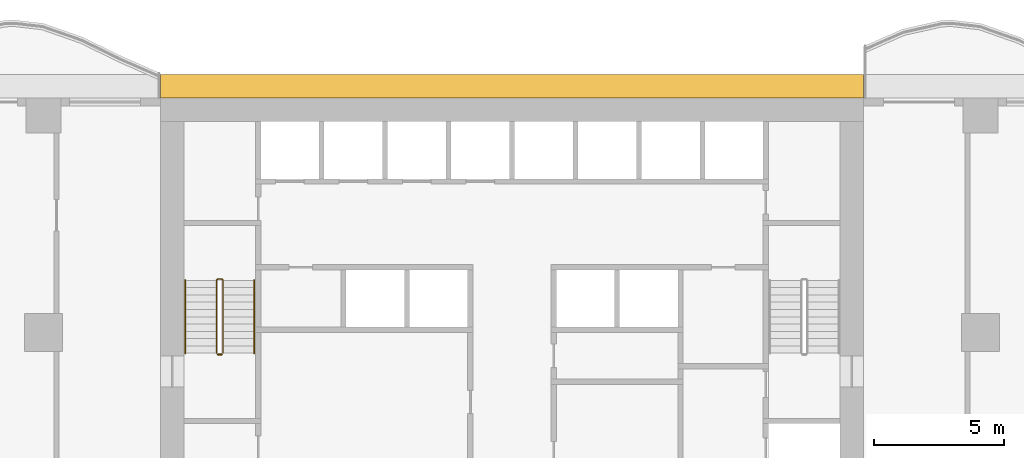
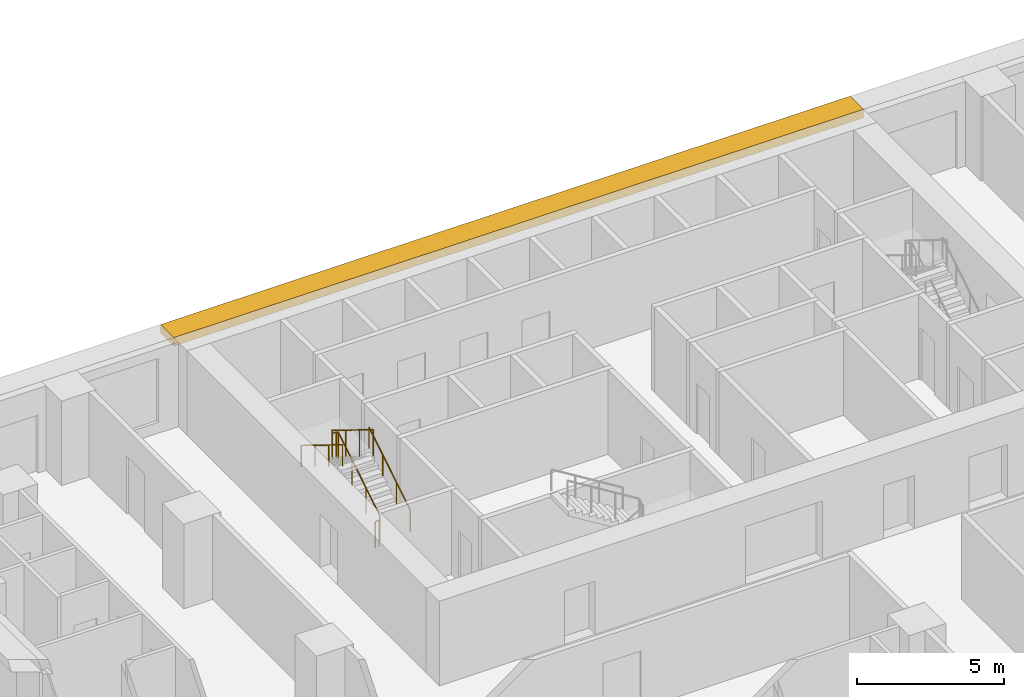
# One storey, part 12 of 14: 4 railings, 1 shading device.
"""IFC4 building model written with IfcOpenShell, lengths in metres."""

import ifcopenshell
import ifcopenshell.guid

model = None  # the IFC model being written
_history = None  # IfcOwnerHistory: only IFC2X3 demands one
_inside = {}  # id of a spatial element -> (the spatial element, [elements in it])
_under = {}  # id of a project, library or spatial element -> (it, [spatial elements below it])
_declared = {}  # id of a project -> (the project, [libraries it declares])
_typed = {}  # id of a type object -> (the type object, [elements of that type])
_made_of = {}  # id of a material, layer set ... -> (it, [elements and type objects made of it])


def new_model(schema):
    """Start an empty IFC model of exactly this schema.

    Asked for "IFC4X3", IfcOpenShell would pick the latest addendum, in which some entities
    have other attributes; the version numbers below select the first issue.
    IFC2X3 requires an IfcOwnerHistory on every rooted entity: one is made here for all.
    """
    global model, _history
    if schema == "IFC4X3":
        model = ifcopenshell.file(schema_version=(4, 3, 0, 0))
    else:
        model = ifcopenshell.file(schema=schema)
    _inside.clear()
    _under.clear()
    _declared.clear()
    _typed.clear()
    _made_of.clear()
    _history = None
    if model.schema == "IFC2X3":
        org = make("IfcOrganization", Name="unknown")
        user = make(
            "IfcPersonAndOrganization",
            ThePerson=make("IfcPerson", FamilyName="unknown"),
            TheOrganization=org,
        )
        app = make(
            "IfcApplication",
            ApplicationDeveloper=org,
            Version="unknown",
            ApplicationFullName="unknown",
            ApplicationIdentifier="unknown",
        )
        _history = make(
            "IfcOwnerHistory",
            OwningUser=user,
            OwningApplication=app,
            ChangeAction="ADDED",
            CreationDate=0,
        )
    return model


def make(cls, **values):
    """One entity of the class cls with the attributes given. An attribute that is None is left unset."""
    return model.create_entity(
        cls, **{name: value for name, value in values.items() if value is not None}
    )


def rooted(cls, **values):
    """An entity with a GlobalId (a new one), such as an element, a storey or a relation."""
    return make(cls, GlobalId=ifcopenshell.guid.new(), OwnerHistory=_history, **values)


def si_unit(unit_type, name, prefix=None):
    """IfcSIUnit, for example si_unit("LENGTHUNIT", "METRE", prefix="MILLI")."""
    return make("IfcSIUnit", UnitType=unit_type, Prefix=prefix, Name=name)


def assignment(units):
    """IfcUnitAssignment: the units of a project."""
    return None if units is None else make("IfcUnitAssignment", Units=units)


def point(xyz):
    """IfcCartesianPoint."""
    return None if xyz is None else make("IfcCartesianPoint", Coordinates=xyz)


def direction(xyz):
    """IfcDirection."""
    return None if xyz is None else make("IfcDirection", DirectionRatios=xyz)


def frame(location, z_axis=None, x_axis=None):
    """IfcAxis2Placement3D, a coordinate frame: its origin and axes. An axis left out is left unset."""
    return make(
        "IfcAxis2Placement3D",
        Location=point(location),
        Axis=direction(z_axis),
        RefDirection=direction(x_axis),
    )


def frame_2d(location, x_axis=None):
    """IfcAxis2Placement2D, a coordinate frame in the plane: its origin and x axis."""
    return make(
        "IfcAxis2Placement2D", Location=point(location), RefDirection=direction(x_axis)
    )


def origin():
    """The frame at (0, 0, 0) with its axes left unset."""
    return frame((0.0, 0.0, 0.0))


def origin_2d():
    """The frame at (0, 0) in the plane with its x axis left unset."""
    return frame_2d((0.0, 0.0))


def place(relative_to, where):
    """IfcLocalPlacement: puts the frame where relative to a parent placement (None: the world)."""
    return make(
        "IfcLocalPlacement", PlacementRelTo=relative_to, RelativePlacement=where
    )


def context(
    kind, dimensions, precision=None, world=None, true_north=None, identifier=None
):
    """IfcGeometricRepresentationContext, for example the 3D "Model" context."""
    return make(
        "IfcGeometricRepresentationContext",
        ContextIdentifier=identifier,
        ContextType=kind,
        CoordinateSpaceDimension=dimensions,
        Precision=precision,
        WorldCoordinateSystem=world,
        TrueNorth=true_north,
    )


def subcontext(parent, identifier, kind, view, scale=None):
    """IfcGeometricRepresentationSubContext, for example "Body" below "Model"."""
    return make(
        "IfcGeometricRepresentationSubContext",
        ContextIdentifier=identifier,
        ContextType=kind,
        ParentContext=parent,
        TargetScale=scale,
        TargetView=view,
    )


def project(units=None, contexts=None):
    """IfcProject with its units and contexts."""
    return rooted(
        "IfcProject",
        Name="project",
        RepresentationContexts=contexts,
        UnitsInContext=assignment(units),
    )


def spatial(cls, under=None, at=None, **own):
    """A site, building, storey or space (cls), placed at a placement, below another one or the project."""
    s = rooted(cls, ObjectPlacement=at, **own)
    if under is not None:
        _under.setdefault(under.id(), (under, []))[1].append(s)
    return s


def polyline(points):
    """IfcPolyline through the points."""
    return make("IfcPolyline", Points=[point(p) for p in points])


def profile(cls, at=None, kind="AREA", **sizes):
    """A parametric profile (cls). Its sizes go by their IFC names, for example OverallWidth=200.0."""
    return make(cls, ProfileType=kind, Position=at, **sizes)


def circle(**sizes):
    """IfcCircleProfileDef."""
    return profile("IfcCircleProfileDef", **sizes)


def outline(outer, holes=None, kind="AREA"):
    """IfcArbitraryClosedProfileDef: a profile drawn as a closed curve; with holes, ...WithVoids."""
    if holes is None:
        return make("IfcArbitraryClosedProfileDef", ProfileType=kind, OuterCurve=outer)
    return make(
        "IfcArbitraryProfileDefWithVoids",
        ProfileType=kind,
        OuterCurve=outer,
        InnerCurves=holes,
    )


def extrude(swept, where, along, depth):
    """IfcExtrudedAreaSolid: the profile swept, set in the frame where, extruded along a direction by depth."""
    return make(
        "IfcExtrudedAreaSolid",
        SweptArea=swept,
        Position=where,
        ExtrudedDirection=direction(along),
        Depth=depth,
    )


def shape(context_of_items, identifier, shape_type, items):
    """IfcShapeRepresentation: the items that make up one representation, for example the "Body"."""
    return make(
        "IfcShapeRepresentation",
        ContextOfItems=context_of_items,
        RepresentationIdentifier=identifier,
        RepresentationType=shape_type,
        Items=items,
    )


def material(Name=None, Category=None):
    """IfcMaterial."""
    return make("IfcMaterial", Name=Name, Category=Category)


def layer(
    of_material, thickness, ventilated=None, Name=None, Category=None, Priority=None
):
    """IfcMaterialLayer: one layer of a wall or slab, of a material (None: an air gap)."""
    return make(
        "IfcMaterialLayer",
        Material=of_material,
        LayerThickness=thickness,
        IsVentilated=ventilated,
        Name=Name,
        Category=Category,
        Priority=Priority,
    )


def layer_set(layers, Name=None):
    """IfcMaterialLayerSet."""
    return make("IfcMaterialLayerSet", MaterialLayers=layers, LayerSetName=Name)


def made_of(thing, what):
    """Note that an element or type object is made of a material, layer set ...; save() writes the relation."""
    if what is not None:
        _made_of.setdefault(what.id(), (what, []))[1].append(thing)
    return thing


def type_object(cls, material=None, **own):
    """A type object (cls), such as IfcWallType, which elements share."""
    return made_of(rooted(cls, **own), material)


def element(
    cls,
    number,
    at=None,
    inside=None,
    cuts=None,
    type_object=None,
    material=None,
    context=None,
    identifier="Body",
    shape_type=None,
    held_by="IfcProductDefinitionShape",
    body=None,
    shapes=None,
    **own,
):
    """One element of the class cls, such as IfcWall. Its Tag is "e" and its number.

    at: its placement. inside: the storey or other place that contains it. cuts: it is an
    opening in that element (IfcRelVoidsElement). A single representation is given by context,
    identifier, shape_type and body (its items); several are given by shapes. held_by: the class
    of the entity that holds the representations. save() writes the other relations.
    """
    e = rooted(cls, Tag="e%d" % number, ObjectPlacement=at, **own)
    if body is not None:
        shapes = [shape(context, identifier, shape_type, body)]
    if shapes is not None:
        e.Representation = make(held_by, Representations=shapes)
    if inside is not None:
        _inside.setdefault(inside.id(), (inside, []))[1].append(e)
    if cuts is not None:
        rooted(
            "IfcRelVoidsElement", RelatingBuildingElement=cuts, RelatedOpeningElement=e
        )
    if type_object is not None:
        _typed.setdefault(type_object.id(), (type_object, []))[1].append(e)
    return made_of(e, material)


def aggregate(whole, parts):
    """IfcRelAggregates: a whole, such as a stair, and the parts it consists of."""
    return rooted("IfcRelAggregates", RelatingObject=whole, RelatedObjects=parts)


def save(model, path):
    """Write the relations noted so far, then the file.

    IfcRelAggregates (storeys below a building ...), IfcRelContainedInSpatialStructure (elements
    in a storey), IfcRelDefinesByType, IfcRelAssociatesMaterial and IfcRelDeclares: one each for
    every whole, place, type object, material and project.
    """
    for whole, parts in _under.values():
        aggregate(whole, parts)
    for where, things in _inside.values():
        rooted(
            "IfcRelContainedInSpatialStructure",
            RelatedElements=things,
            RelatingStructure=where,
        )
    for kind, things in _typed.values():
        rooted("IfcRelDefinesByType", RelatedObjects=things, RelatingType=kind)
    for what, things in _made_of.values():
        rooted("IfcRelAssociatesMaterial", RelatedObjects=things, RelatingMaterial=what)
    for by, libraries in _declared.values():
        rooted("IfcRelDeclares", RelatingContext=by, RelatedDefinitions=libraries)
    model.write(path)


model = new_model("IFC4")

# Units and contexts
model_context = context("Model", 3, precision=1e-05, world=origin(), true_north=direction((0.0, 1.0)))
body_context = subcontext(model_context, "Body", "Model", "MODEL_VIEW")
ifc_project = project(units=[si_unit("LENGTHUNIT", "METRE"), si_unit("AREAUNIT", "SQUARE_METRE"), si_unit("VOLUMEUNIT", "CUBIC_METRE"), si_unit("PLANEANGLEUNIT", "RADIAN"), si_unit("MASSUNIT", "GRAM", prefix="KILO")], contexts=[model_context])

# Site, building, storey
site_placement = place(None, origin())
site = spatial("IfcSite", under=ifc_project, at=site_placement, CompositionType="ELEMENT")
building_placement = place(site_placement, origin())
building = spatial("IfcBuilding", under=site, at=building_placement, Name="Orbiselva Terraces", CompositionType="ELEMENT")
storey_placement = place(building_placement, frame((0.0, 0.0, 73.2)))
storey = spatial("IfcBuildingStorey", under=building, at=storey_placement, Name="L18", CompositionType="ELEMENT", Elevation=73.2)

# Railings
ifc_material_1 = material(Name="Stainless steel", Category="steel")
railing_type_1 = type_object("IfcRailingType", Name="CORE-GUARD-1100", PredefinedType="GUARDRAIL", material=ifc_material_1)
railing_1_placement = place(storey_placement, frame((-11.1, 12.7, 0.172727)))
element("IfcRailing", 1, at=railing_1_placement, inside=storey, type_object=railing_type_1, Name="L18 S1 stair guard 1", PredefinedType="GUARDRAIL", context=body_context, shape_type="SweptSolid", body=[
    extrude(circle(Radius=0.024, at=origin_2d()), frame((0.0, 0.0, 1.081), z_axis=(0.0, 0.851088519012, 0.52502222125), x_axis=(-1.0, 0.0, 0.0)), (0.0, 0.0, 1.0), 3.289905),
    extrude(circle(Radius=0.024, at=origin_2d()), frame((0.0, 2.8, 2.808273), z_axis=(-0.707106781187, 0.707106781187, 0.0), x_axis=(-0.707106781187, -0.707106781187, 0.0)), (0.0, 0.0, 1.0), 0.070711),
    extrude(circle(Radius=0.024, at=origin_2d()), frame((-0.05, 2.85, 2.808273), z_axis=(-1.0, 0.0, 0.0), x_axis=(0.0, -1.0, 0.0)), (0.0, 0.0, 1.0), 0.15),
    extrude(circle(Radius=0.024, at=origin_2d()), frame((-0.2, 2.85, 2.808273), z_axis=(-0.267894925557, -0.267894925557, 0.925453736133), x_axis=(0.707106781187, -0.707106781187, 0.0)), (0.0, 0.0, 1.0), 0.18664),
    extrude(circle(Radius=0.024, at=origin_2d()), frame((-0.25, 2.8, 2.981), z_axis=(0.0, -0.851088519012, 0.52502222125), x_axis=(1.0, 0.0, 0.0)), (0.0, 0.0, 1.0), 3.289905),
    extrude(circle(Radius=0.021, at=origin_2d()), origin(), (0.0, 0.0, 1.0), 1.057),
    extrude(circle(Radius=0.021, at=origin_2d()), frame((0.0, 0.933333, 0.575758)), (0.0, 0.0, 1.0), 1.057),
    extrude(circle(Radius=0.021, at=origin_2d()), frame((0.0, 1.866667, 1.151515)), (0.0, 0.0, 1.0), 1.057),
    extrude(circle(Radius=0.021, at=origin_2d()), frame((0.0, 2.8, 1.727273)), (0.0, 0.0, 1.0), 1.057),
    extrude(circle(Radius=0.021, at=origin_2d()), frame((-0.05, 2.85, 1.727273)), (0.0, 0.0, 1.0), 1.057),
    extrude(circle(Radius=0.021, at=origin_2d()), frame((-0.2, 2.85, 1.727273)), (0.0, 0.0, 1.0), 1.057),
    extrude(circle(Radius=0.021, at=origin_2d()), frame((-0.25, 2.8, 1.9)), (0.0, 0.0, 1.0), 1.057),
    extrude(circle(Radius=0.021, at=origin_2d()), frame((-0.25, 1.866667, 2.475758)), (0.0, 0.0, 1.0), 1.057),
    extrude(circle(Radius=0.021, at=origin_2d()), frame((-0.25, 0.933333, 3.051515)), (0.0, 0.0, 1.0), 1.057),
    extrude(circle(Radius=0.021, at=origin_2d()), frame((-0.25, 0.0, 3.627273)), (0.0, 0.0, 1.0), 1.057),
])
railing_2_placement = place(storey_placement, frame((-11.15, 12.65, 0.0)))
element("IfcRailing", 2, at=railing_2_placement, inside=storey, type_object=railing_type_1, Name="L18 S1 stair guard 2", PredefinedType="GUARDRAIL", context=body_context, shape_type="SweptSolid", body=[
    extrude(circle(Radius=0.024, at=origin_2d()), frame((0.0, 0.0, 1.081), z_axis=(-1.0, 0.0, 0.0), x_axis=(0.0, -1.0, 0.0)), (0.0, 0.0, 1.0), 0.15),
    extrude(circle(Radius=0.021, at=origin_2d()), origin(), (0.0, 0.0, 1.0), 1.057),
    extrude(circle(Radius=0.021, at=origin_2d()), frame((-0.15, 0.0, 0.0)), (0.0, 0.0, 1.0), 1.057),
])
railing_type_2 = type_object("IfcRailingType", Name="CORE-HANDRAIL-900", PredefinedType="HANDRAIL", material=ifc_material_1)
railing_3_placement = place(storey_placement, frame((-9.9, 12.7, 0.172727)))
element("IfcRailing", 3, at=railing_3_placement, inside=storey, type_object=railing_type_2, Name="L18 S1 stair handrail 1", PredefinedType="HANDRAIL", context=body_context, shape_type="SweptSolid", body=[
    extrude(circle(Radius=0.024, at=origin_2d()), frame((0.0, 0.0, 0.876), z_axis=(0.0, 0.851088519012, 0.52502222125), x_axis=(-1.0, 0.0, 0.0)), (0.0, 0.0, 1.0), 3.289905),
    extrude(circle(Radius=0.021, at=origin_2d()), origin(), (0.0, 0.0, 1.0), 0.852),
    extrude(circle(Radius=0.021, at=origin_2d()), frame((0.0, 0.933333, 0.575758)), (0.0, 0.0, 1.0), 0.852),
    extrude(circle(Radius=0.021, at=origin_2d()), frame((0.0, 1.866667, 1.151515)), (0.0, 0.0, 1.0), 0.852),
    extrude(circle(Radius=0.021, at=origin_2d()), frame((0.0, 2.8, 1.727273)), (0.0, 0.0, 1.0), 0.852),
])
railing_4_placement = place(storey_placement, frame((-12.55, 15.5, 2.072727)))
element("IfcRailing", 4, at=railing_4_placement, inside=storey, type_object=railing_type_2, Name="L18 S1 stair handrail 2", PredefinedType="HANDRAIL", context=body_context, shape_type="SweptSolid", body=[
    extrude(circle(Radius=0.024, at=origin_2d()), frame((0.0, 0.0, 0.876), z_axis=(0.0, -0.851088519012, 0.52502222125), x_axis=(1.0, 0.0, 0.0)), (0.0, 0.0, 1.0), 3.289905),
    extrude(circle(Radius=0.021, at=origin_2d()), origin(), (0.0, 0.0, 1.0), 0.852),
    extrude(circle(Radius=0.021, at=origin_2d()), frame((0.0, -0.933333, 0.575758)), (0.0, 0.0, 1.0), 0.852),
    extrude(circle(Radius=0.021, at=origin_2d()), frame((0.0, -1.866667, 1.151515)), (0.0, 0.0, 1.0), 0.852),
    extrude(circle(Radius=0.021, at=origin_2d()), frame((0.0, -2.8, 1.727273)), (0.0, 0.0, 1.0), 0.852),
])

# Shading device
ifc_material_2 = material(Name="Terracotta baguette sunshade", Category="masonry")
ifc_layer = layer(ifc_material_2, 0.35)
ifc_layer_set = layer_set([ifc_layer], Name="Terracotta baguette sunshade")
shading_device_type = type_object("IfcShadingDeviceType", Name="ENV-SUNSHADE-900x350", PredefinedType="USERDEFINED", material=ifc_layer_set)
shading_device_placement = place(storey_placement, frame((0.0, 0.0, 3.15)))
element("IfcShadingDevice", 5, at=shading_device_placement, inside=storey, type_object=shading_device_type, Name="Sunshade band L18 CORE NORTH", ObjectType="SUNSHADE", PredefinedType="USERDEFINED", context=body_context, shape_type="SweptSolid", body=[
    extrude(outline(polyline([(13.5, 23.4), (-13.5, 23.4), (-13.5, 22.5), (13.5, 22.5), (13.5, 23.4)])), origin(), (0.0, 0.0, 1.0), 0.35),
])

save(model, "model.ifc")
